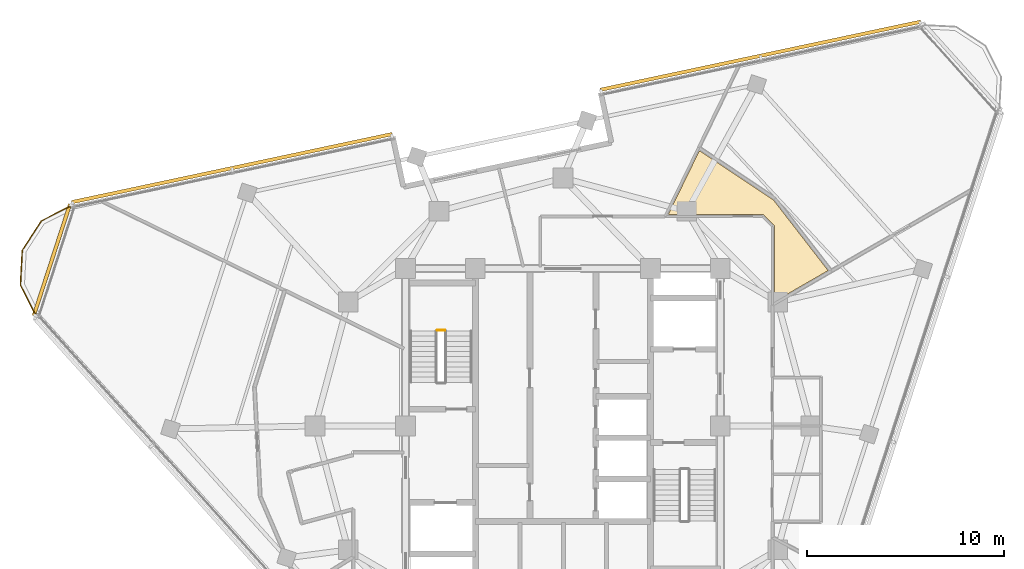
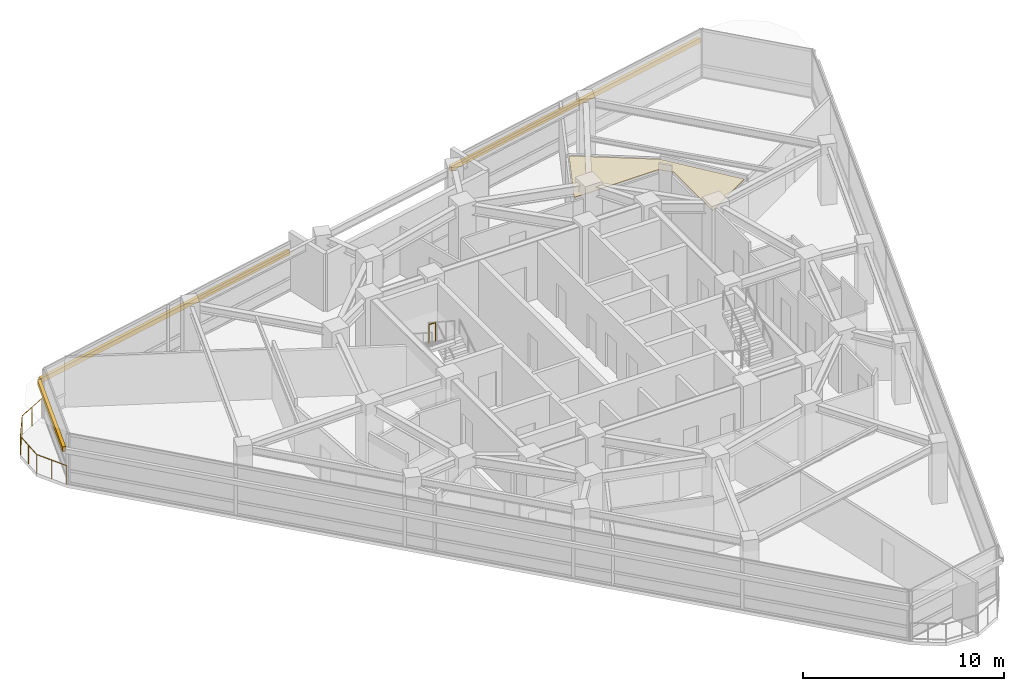
# One storey, part 14 of 15: 3 shading devices, 2 railings, 1 covering.
"""IFC4 building model written with IfcOpenShell, lengths in metres."""

import ifcopenshell
import ifcopenshell.guid

model = None  # the IFC model being written
_history = None  # IfcOwnerHistory: only IFC2X3 demands one
_inside = {}  # id of a spatial element -> (the spatial element, [elements in it])
_under = {}  # id of a project, library or spatial element -> (it, [spatial elements below it])
_declared = {}  # id of a project -> (the project, [libraries it declares])
_typed = {}  # id of a type object -> (the type object, [elements of that type])
_made_of = {}  # id of a material, layer set ... -> (it, [elements and type objects made of it])


def new_model(schema):
    """Start an empty IFC model of exactly this schema.

    Asked for "IFC4X3", IfcOpenShell would pick the latest addendum, in which some entities
    have other attributes; the version numbers below select the first issue.
    IFC2X3 requires an IfcOwnerHistory on every rooted entity: one is made here for all.
    """
    global model, _history
    if schema == "IFC4X3":
        model = ifcopenshell.file(schema_version=(4, 3, 0, 0))
    else:
        model = ifcopenshell.file(schema=schema)
    _inside.clear()
    _under.clear()
    _declared.clear()
    _typed.clear()
    _made_of.clear()
    _history = None
    if model.schema == "IFC2X3":
        org = make("IfcOrganization", Name="unknown")
        user = make(
            "IfcPersonAndOrganization",
            ThePerson=make("IfcPerson", FamilyName="unknown"),
            TheOrganization=org,
        )
        app = make(
            "IfcApplication",
            ApplicationDeveloper=org,
            Version="unknown",
            ApplicationFullName="unknown",
            ApplicationIdentifier="unknown",
        )
        _history = make(
            "IfcOwnerHistory",
            OwningUser=user,
            OwningApplication=app,
            ChangeAction="ADDED",
            CreationDate=0,
        )
    return model


def make(cls, **values):
    """One entity of the class cls with the attributes given. An attribute that is None is left unset."""
    return model.create_entity(
        cls, **{name: value for name, value in values.items() if value is not None}
    )


def rooted(cls, **values):
    """An entity with a GlobalId (a new one), such as an element, a storey or a relation."""
    return make(cls, GlobalId=ifcopenshell.guid.new(), OwnerHistory=_history, **values)


def si_unit(unit_type, name, prefix=None):
    """IfcSIUnit, for example si_unit("LENGTHUNIT", "METRE", prefix="MILLI")."""
    return make("IfcSIUnit", UnitType=unit_type, Prefix=prefix, Name=name)


def assignment(units):
    """IfcUnitAssignment: the units of a project."""
    return None if units is None else make("IfcUnitAssignment", Units=units)


def point(xyz):
    """IfcCartesianPoint."""
    return None if xyz is None else make("IfcCartesianPoint", Coordinates=xyz)


def direction(xyz):
    """IfcDirection."""
    return None if xyz is None else make("IfcDirection", DirectionRatios=xyz)


def frame(location, z_axis=None, x_axis=None):
    """IfcAxis2Placement3D, a coordinate frame: its origin and axes. An axis left out is left unset."""
    return make(
        "IfcAxis2Placement3D",
        Location=point(location),
        Axis=direction(z_axis),
        RefDirection=direction(x_axis),
    )


def frame_2d(location, x_axis=None):
    """IfcAxis2Placement2D, a coordinate frame in the plane: its origin and x axis."""
    return make(
        "IfcAxis2Placement2D", Location=point(location), RefDirection=direction(x_axis)
    )


def origin():
    """The frame at (0, 0, 0) with its axes left unset."""
    return frame((0.0, 0.0, 0.0))


def origin_2d():
    """The frame at (0, 0) in the plane with its x axis left unset."""
    return frame_2d((0.0, 0.0))


def place(relative_to, where):
    """IfcLocalPlacement: puts the frame where relative to a parent placement (None: the world)."""
    return make(
        "IfcLocalPlacement", PlacementRelTo=relative_to, RelativePlacement=where
    )


def context(
    kind, dimensions, precision=None, world=None, true_north=None, identifier=None
):
    """IfcGeometricRepresentationContext, for example the 3D "Model" context."""
    return make(
        "IfcGeometricRepresentationContext",
        ContextIdentifier=identifier,
        ContextType=kind,
        CoordinateSpaceDimension=dimensions,
        Precision=precision,
        WorldCoordinateSystem=world,
        TrueNorth=true_north,
    )


def subcontext(parent, identifier, kind, view, scale=None):
    """IfcGeometricRepresentationSubContext, for example "Body" below "Model"."""
    return make(
        "IfcGeometricRepresentationSubContext",
        ContextIdentifier=identifier,
        ContextType=kind,
        ParentContext=parent,
        TargetScale=scale,
        TargetView=view,
    )


def project(units=None, contexts=None):
    """IfcProject with its units and contexts."""
    return rooted(
        "IfcProject",
        Name="project",
        RepresentationContexts=contexts,
        UnitsInContext=assignment(units),
    )


def spatial(cls, under=None, at=None, **own):
    """A site, building, storey or space (cls), placed at a placement, below another one or the project."""
    s = rooted(cls, ObjectPlacement=at, **own)
    if under is not None:
        _under.setdefault(under.id(), (under, []))[1].append(s)
    return s


def polyline(points):
    """IfcPolyline through the points."""
    return make("IfcPolyline", Points=[point(p) for p in points])


def profile(cls, at=None, kind="AREA", **sizes):
    """A parametric profile (cls). Its sizes go by their IFC names, for example OverallWidth=200.0."""
    return make(cls, ProfileType=kind, Position=at, **sizes)


def rectangle(**sizes):
    """IfcRectangleProfileDef."""
    return profile("IfcRectangleProfileDef", **sizes)


def circle(**sizes):
    """IfcCircleProfileDef."""
    return profile("IfcCircleProfileDef", **sizes)


def outline(outer, holes=None, kind="AREA"):
    """IfcArbitraryClosedProfileDef: a profile drawn as a closed curve; with holes, ...WithVoids."""
    if holes is None:
        return make("IfcArbitraryClosedProfileDef", ProfileType=kind, OuterCurve=outer)
    return make(
        "IfcArbitraryProfileDefWithVoids",
        ProfileType=kind,
        OuterCurve=outer,
        InnerCurves=holes,
    )


def extrude(swept, where, along, depth):
    """IfcExtrudedAreaSolid: the profile swept, set in the frame where, extruded along a direction by depth."""
    return make(
        "IfcExtrudedAreaSolid",
        SweptArea=swept,
        Position=where,
        ExtrudedDirection=direction(along),
        Depth=depth,
    )


def shape(context_of_items, identifier, shape_type, items):
    """IfcShapeRepresentation: the items that make up one representation, for example the "Body"."""
    return make(
        "IfcShapeRepresentation",
        ContextOfItems=context_of_items,
        RepresentationIdentifier=identifier,
        RepresentationType=shape_type,
        Items=items,
    )


def material(Name=None, Category=None):
    """IfcMaterial."""
    return make("IfcMaterial", Name=Name, Category=Category)


def layer(
    of_material, thickness, ventilated=None, Name=None, Category=None, Priority=None
):
    """IfcMaterialLayer: one layer of a wall or slab, of a material (None: an air gap)."""
    return make(
        "IfcMaterialLayer",
        Material=of_material,
        LayerThickness=thickness,
        IsVentilated=ventilated,
        Name=Name,
        Category=Category,
        Priority=Priority,
    )


def layer_set(layers, Name=None):
    """IfcMaterialLayerSet."""
    return make("IfcMaterialLayerSet", MaterialLayers=layers, LayerSetName=Name)


def made_of(thing, what):
    """Note that an element or type object is made of a material, layer set ...; save() writes the relation."""
    if what is not None:
        _made_of.setdefault(what.id(), (what, []))[1].append(thing)
    return thing


def type_object(cls, material=None, **own):
    """A type object (cls), such as IfcWallType, which elements share."""
    return made_of(rooted(cls, **own), material)


def element(
    cls,
    number,
    at=None,
    inside=None,
    cuts=None,
    type_object=None,
    material=None,
    context=None,
    identifier="Body",
    shape_type=None,
    held_by="IfcProductDefinitionShape",
    body=None,
    shapes=None,
    **own,
):
    """One element of the class cls, such as IfcWall. Its Tag is "e" and its number.

    at: its placement. inside: the storey or other place that contains it. cuts: it is an
    opening in that element (IfcRelVoidsElement). A single representation is given by context,
    identifier, shape_type and body (its items); several are given by shapes. held_by: the class
    of the entity that holds the representations. save() writes the other relations.
    """
    e = rooted(cls, Tag="e%d" % number, ObjectPlacement=at, **own)
    if body is not None:
        shapes = [shape(context, identifier, shape_type, body)]
    if shapes is not None:
        e.Representation = make(held_by, Representations=shapes)
    if inside is not None:
        _inside.setdefault(inside.id(), (inside, []))[1].append(e)
    if cuts is not None:
        rooted(
            "IfcRelVoidsElement", RelatingBuildingElement=cuts, RelatedOpeningElement=e
        )
    if type_object is not None:
        _typed.setdefault(type_object.id(), (type_object, []))[1].append(e)
    return made_of(e, material)


def aggregate(whole, parts):
    """IfcRelAggregates: a whole, such as a stair, and the parts it consists of."""
    return rooted("IfcRelAggregates", RelatingObject=whole, RelatedObjects=parts)


def save(model, path):
    """Write the relations noted so far, then the file.

    IfcRelAggregates (storeys below a building ...), IfcRelContainedInSpatialStructure (elements
    in a storey), IfcRelDefinesByType, IfcRelAssociatesMaterial and IfcRelDeclares: one each for
    every whole, place, type object, material and project.
    """
    for whole, parts in _under.values():
        aggregate(whole, parts)
    for where, things in _inside.values():
        rooted(
            "IfcRelContainedInSpatialStructure",
            RelatedElements=things,
            RelatingStructure=where,
        )
    for kind, things in _typed.values():
        rooted("IfcRelDefinesByType", RelatedObjects=things, RelatingType=kind)
    for what, things in _made_of.values():
        rooted("IfcRelAssociatesMaterial", RelatedObjects=things, RelatingMaterial=what)
    for by, libraries in _declared.values():
        rooted("IfcRelDeclares", RelatingContext=by, RelatedDefinitions=libraries)
    model.write(path)


model = new_model("IFC4")

# Units and contexts
model_context = context("Model", 3, precision=1e-05, world=origin(), true_north=direction((0.0, 1.0)))
body_context = subcontext(model_context, "Body", "Model", "MODEL_VIEW")
ifc_project = project(units=[si_unit("LENGTHUNIT", "METRE"), si_unit("AREAUNIT", "SQUARE_METRE"), si_unit("VOLUMEUNIT", "CUBIC_METRE"), si_unit("PLANEANGLEUNIT", "RADIAN"), si_unit("MASSUNIT", "GRAM", prefix="KILO")], contexts=[model_context])

# Site, building, storey
site_placement = place(None, origin())
site = spatial("IfcSite", under=ifc_project, at=site_placement, CompositionType="ELEMENT")
building_placement = place(site_placement, origin())
building = spatial("IfcBuilding", under=site, at=building_placement, Name="Terralouvre Media Tower", CompositionType="ELEMENT")
storey_placement = place(building_placement, frame((0.0, 0.0, 305.39990234375)))
storey = spatial("IfcBuildingStorey", under=building, at=storey_placement, Name="L79", CompositionType="ELEMENT", Elevation=305.39990234375)

# Covering
ifc_material_1 = material(Name="Perforated aluminium acoustic ceiling baffle", Category="aluminium")
ifc_layer_1 = layer(ifc_material_1, 0.0400390625, Name="Perforated Acoustic Metal Tile Ceiling CL-AC1")
ifc_layer_set_1 = layer_set([ifc_layer_1], Name="Perforated aluminium acoustic ceiling baffle")
covering_type = type_object("IfcCoveringType", Name="Perforated Acoustic Metal Tile Ceiling CL-AC1", PredefinedType="CEILING", material=ifc_layer_set_1)
covering_placement = place(storey_placement, frame((0.0, 0.0, 2.97998046875), z_axis=(0.0, 0.0, 1.0), x_axis=(0.309016994375, 0.951056516295, 0.0)))
element("IfcCovering", 1, at=covering_placement, inside=storey, type_object=covering_type, Name="L79 Artist Hospitality Kitchen 8 Acoustic Ceiling", PredefinedType="CEILING", context=body_context, shape_type="SweptSolid", body=[
    extrude(outline(polyline([(14.2275390625, -6.635009765625), (15.457275390625, -2.2734375), (11.87841796875, -1.77001953125), (13.3603515625, -6.331298828125), (13.363037109375, -6.3408203125), (13.364501953125, -6.350341796875), (13.365234375, -6.360107421875), (13.364990234375, -6.3701171875), (13.36376953125, -6.379638671875), (13.361572265625, -6.389404296875), (13.3583984375, -6.398681640625), (13.354248046875, -6.407470703125), (13.033447265625, -7.03759765625), (13.0283203125, -7.046142578125), (13.022705078125, -7.05419921875), (13.016357421875, -7.0615234375), (13.00927734375, -7.068359375), (13.00146484375, -7.07421875), (12.9931640625, -7.07958984375), (12.984375, -7.083740234375), (12.97509765625, -7.08740234375), (9.334716796875, -8.270263671875), (11.677490234375, -10.38037109375), (14.2275390625, -6.635009765625)])), origin(), (0.0, 0.0, 1.0), 0.0400390625),
])

# Railings
ifc_material_2 = material(Name="Stainless steel 316 handrail and balustrade", Category="steel")
ifc_layer_2 = layer(ifc_material_2, 0.06005859375, Name="Roof Edge Safety Guardrail GR-ROOF1")
ifc_layer_set_2 = layer_set([ifc_layer_2], Name="Stainless steel 316 handrail and balustrade")
railing_type_1 = type_object("IfcRailingType", Name="Roof Edge Safety Guardrail GR-ROOF1", PredefinedType="GUARDRAIL", material=ifc_layer_set_2)
railing_1_placement = place(storey_placement, frame((-24.927490234375, 11.230224609375, 0.0)))
element("IfcRailing", 2, at=railing_1_placement, inside=storey, type_object=railing_type_1, Name="L79 Wind-Corner Perimeter Safety Guardrail C2", PredefinedType="GUARDRAIL", context=body_context, shape_type="SweptSolid", body=[
    extrude(circle(Radius=0.02099609375, at=origin_2d()), frame((0.0, 0.0, 1.12890625), z_axis=(-0.891111697267, -0.453784026817, 0.0), x_axis=(0.453784026817, -0.891111697267, 0.0)), (0.0, 0.0, 1.0), 1.7802734375),
    extrude(circle(Radius=0.02099609375, at=origin_2d()), frame((-1.58642578125, -0.807861328125, 1.12890625), z_axis=(-0.544752056661, -0.838597160002, 0.0), x_axis=(0.838597160002, -0.544752056661, 0.0)), (0.0, 0.0, 1.0), 1.77978515625),
    extrude(circle(Radius=0.02099609375, at=origin_2d()), frame((-2.555908203125, -2.30029296875, 1.12890625), z_axis=(-0.052126837836, -0.998640472231, 0.0), x_axis=(0.998640472231, -0.052126837836, 0.0)), (0.0, 0.0, 1.0), 1.77978515625),
    extrude(circle(Radius=0.02099609375, at=origin_2d()), frame((-2.648681640625, -4.07763671875, 1.12890625), z_axis=(0.454221597143, -0.890888736425, 0.0), x_axis=(0.890888736425, 0.454221597143, 0.0)), (0.0, 0.0, 1.0), 1.7802734375),
    extrude(circle(Radius=0.01904296875, at=origin_2d()), origin(), (0.0, 0.0, 1.0), 1.10791015625),
    extrude(circle(Radius=0.01904296875, at=origin_2d()), frame((-0.793212890625, -0.40380859375, 0.0)), (0.0, 0.0, 1.0), 1.10791015625),
    extrude(circle(Radius=0.01904296875, at=origin_2d()), frame((-1.58642578125, -0.807861328125, 0.0)), (0.0, 0.0, 1.0), 1.10791015625),
    extrude(circle(Radius=0.01904296875, at=origin_2d()), frame((-2.0712890625, -1.55419921875, 0.0)), (0.0, 0.0, 1.0), 1.10791015625),
    extrude(circle(Radius=0.01904296875, at=origin_2d()), frame((-2.555908203125, -2.30029296875, 0.0)), (0.0, 0.0, 1.0), 1.10791015625),
    extrude(circle(Radius=0.01904296875, at=origin_2d()), frame((-2.602294921875, -3.18896484375, 0.0)), (0.0, 0.0, 1.0), 1.10791015625),
    extrude(circle(Radius=0.01904296875, at=origin_2d()), frame((-2.648681640625, -4.07763671875, 0.0)), (0.0, 0.0, 1.0), 1.10791015625),
    extrude(circle(Radius=0.01904296875, at=origin_2d()), frame((-2.244384765625, -4.87060546875, 0.0)), (0.0, 0.0, 1.0), 1.10791015625),
    extrude(circle(Radius=0.01904296875, at=origin_2d()), frame((-1.840087890625, -5.66357421875, 0.0)), (0.0, 0.0, 1.0), 1.10791015625),
])
ifc_material_3 = material(Name="Stainless steel 316 handrail and balustrade", Category="steel")
ifc_layer_3 = layer(ifc_material_3, 0.050048828125, Name="Stairwell Safety Guardrail GR-INT1")
ifc_layer_set_3 = layer_set([ifc_layer_3], Name="Stainless steel 316 handrail and balustrade")
railing_type_2 = type_object("IfcRailingType", Name="Stairwell Safety Guardrail GR-INT1", PredefinedType="GUARDRAIL", material=ifc_layer_set_3)
railing_2_placement = place(storey_placement, frame((-6.0, 4.8701171875, 1.85009765625)))
element("IfcRailing", 3, at=railing_2_placement, inside=storey, type_object=railing_type_2, Name="L79 ST-01 stair guard 2", PredefinedType="GUARDRAIL", context=body_context, shape_type="SweptSolid", body=[
    extrude(circle(Radius=0.02392578125, at=origin_2d()), frame((0.0, 0.0, 1.1259765625), z_axis=(-1.0, 0.0, 0.0), x_axis=(0.0, -1.0, 0.0)), (0.0, 0.0, 1.0), 0.3798828125),
    extrude(circle(Radius=0.02099609375, at=origin_2d()), origin(), (0.0, 0.0, 1.0), 1.101806640625),
    extrude(circle(Radius=0.02099609375, at=origin_2d()), frame((-0.3798828125, 0.0, 0.0)), (0.0, 0.0, 1.0), 1.101806640625),
])

# Shading devices
ifc_material_4 = material(Name="Extruded terracotta baguette sunshade louvres", Category="masonry")
shading_device_type = type_object("IfcShadingDeviceType", Name="Terracotta Baguette Sunshade Louvre Screen TB-LV1", PredefinedType="USERDEFINED", material=ifc_material_4)
for number, where, z_axis, x_axis, name in (
    (4, (10.03759765625, 18.814453125, 2.02392578125), (0.0, 0.0, 1.0), (-0.978147588229, -0.207911749648, 0.0), "CW-L79-F1L Terracotta Baguette Sunshade Louvre"),
    (5, (-16.822265625, 13.105224609375, 2.02392578125), (0.0, 0.0, 1.0), (-0.978147684351, -0.20791129743, 0.0), "CW-L79-F1R Terracotta Baguette Sunshade Louvre"),
):
    element("IfcShadingDevice", number, at=place(storey_placement, frame(where, z_axis=z_axis, x_axis=x_axis)), inside=storey, type_object=shading_device_type, Name=name, ObjectType="BAGUETTE", PredefinedType="USERDEFINED", context=body_context, shape_type="SweptSolid", body=[
        extrude(rectangle(XDim=16.659912109375, YDim=0.179931640625, at=origin_2d()), origin(), (0.0, 0.0, 1.0), 0.280029296875),
    ])
shading_device_placement = place(storey_placement, frame((-25.975830078125, 8.440185546875, 2.02392578125), z_axis=(0.0, 0.0, 1.0), x_axis=(-0.30901654693, -0.951056661679, 0.0)))
element("IfcShadingDevice", 6, at=shading_device_placement, inside=storey, type_object=shading_device_type, Name="CW-L79-C2 Terracotta Baguette Sunshade Louvre", ObjectType="BAGUETTE", PredefinedType="USERDEFINED", context=body_context, shape_type="SweptSolid", body=[
    extrude(rectangle(XDim=5.958251953125, YDim=0.179931640625, at=origin_2d()), origin(), (0.0, 0.0, 1.0), 0.280029296875),
])

save(model, "model.ifc")
